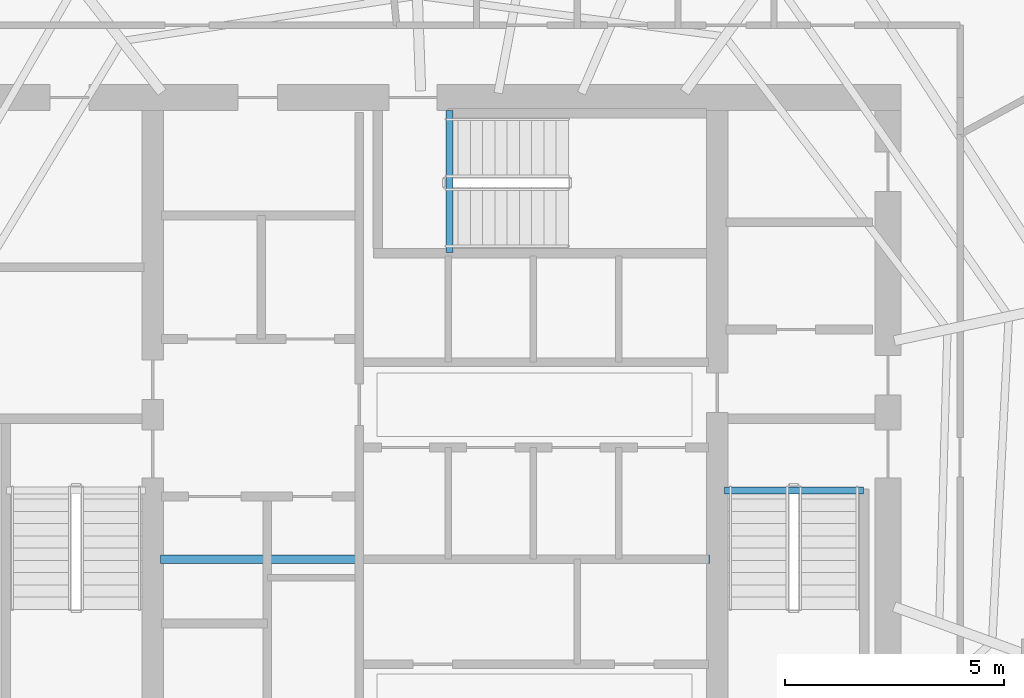
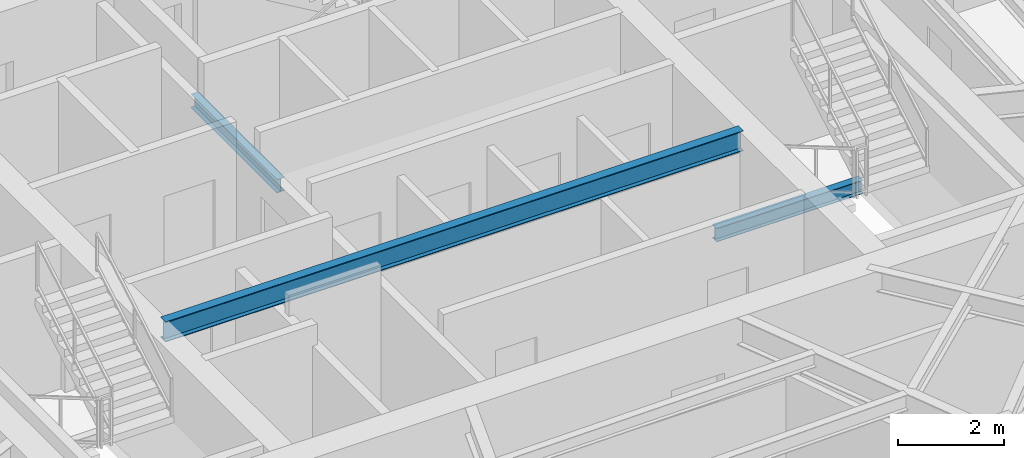
# One storey, part 8 of 21: 3 beams.
"""IFC4 building model written with IfcOpenShell, lengths in metres."""

from ifc_helpers import new_model, si_unit, direction, frame, origin, origin_2d, place, context, subcontext, project, spatial, i_section, extrude, material, material_profile, profile_set, type_object, element, save


model = new_model("IFC4")

# Units and contexts
model_context = context("Model", 3, precision=1e-05, world=origin(), true_north=direction((0.0, 1.0)))
body_context = subcontext(model_context, "Body", "Model", "MODEL_VIEW")
ifc_project = project(units=[si_unit("LENGTHUNIT", "METRE"), si_unit("AREAUNIT", "SQUARE_METRE"), si_unit("VOLUMEUNIT", "CUBIC_METRE"), si_unit("PLANEANGLEUNIT", "RADIAN"), si_unit("MASSUNIT", "GRAM", prefix="KILO")], contexts=[model_context])

# Site, building, storey
site_placement = place(None, origin())
site = spatial("IfcSite", under=ifc_project, at=site_placement, CompositionType="ELEMENT")
building_placement = place(site_placement, origin())
building = spatial("IfcBuilding", under=site, at=building_placement, Name="Qarnah Convention Tower", CompositionType="ELEMENT")
storey_placement = place(building_placement, frame((0.0, 0.0, 161.699951171875)))
storey = spatial("IfcBuildingStorey", under=building, at=storey_placement, Name="L43", CompositionType="ELEMENT", Elevation=161.699951171875)

# Beams
ifc_material = material(Name="Structural steel S355JR", Category="steel")
ifc_material_profile_1 = material_profile(ifc_material, i_section(OverallWidth=0.19189453125, OverallDepth=0.464111328125, WebThickness=0.010986328125, FlangeThickness=0.01806640625, at=origin_2d()), Name="W460X89")
ifc_profile_set_1 = profile_set([ifc_material_profile_1], Name="Structural steel S355JR")
beam_type_1 = type_object("IfcBeamType", Name="BM-CANT-W460A", PredefinedType="BEAM", material=ifc_profile_set_1)
beam_1_placement = place(storey_placement, frame((30.97998046875, 23.64990234375, 3.088134765625), z_axis=(1.0, 0.0, 0.0), x_axis=(0.0, 1.0, 0.0)))
element("IfcBeam", 1, at=beam_1_placement, inside=storey, type_object=beam_type_1, Name="L43 beam BM-L43-KC1", PredefinedType="BEAM", context=body_context, shape_type="SweptSolid", body=[
    extrude(i_section(OverallWidth=0.19189453125, OverallDepth=0.464111328125, WebThickness=0.010986328125, FlangeThickness=0.01806640625, at=origin_2d()), origin(), (0.0, 0.0, 1.0), 12.5400390625),
])
ifc_material_profile_2 = material_profile(ifc_material, i_section(OverallWidth=0.166015625, OverallDepth=0.31201171875, WebThickness=0.007080078125, FlangeThickness=0.010986328125, at=origin_2d()), Name="W310X45")
ifc_profile_set_2 = profile_set([ifc_material_profile_2], Name="Structural steel S355JR")
beam_type_2 = type_object("IfcBeamType", Name="BM-JST-W310", PredefinedType="JOIST", material=ifc_profile_set_2)
beam_2_placement = place(storey_placement, frame((43.860107421875, 25.217041015625, -0.156005859375), z_axis=(1.0, 0.0, 0.0), x_axis=(0.0, 1.0, 0.0)))
element("IfcBeam", 2, at=beam_2_placement, inside=storey, type_object=beam_type_2, Name="L43 stair landing trimmer beam BM-L43-ST2-TRM", PredefinedType="BEAM", context=body_context, shape_type="SweptSolid", body=[
    extrude(i_section(OverallWidth=0.166015625, OverallDepth=0.31201171875, WebThickness=0.007080078125, FlangeThickness=0.010986328125, at=origin_2d()), origin(), (0.0, 0.0, 1.0), 3.179931640625),
])
beam_3_placement = place(storey_placement, frame((37.5830078125, 30.659912109375, -0.156005859375), z_axis=(0.0, 1.0, 0.0), x_axis=(-1.0, 0.0, 0.0)))
element("IfcBeam", 3, at=beam_3_placement, inside=storey, type_object=beam_type_2, Name="L43 stair landing trimmer beam BM-L43-ST3-TRM", PredefinedType="BEAM", context=body_context, shape_type="SweptSolid", body=[
    extrude(i_section(OverallWidth=0.166015625, OverallDepth=0.31201171875, WebThickness=0.007080078125, FlangeThickness=0.010986328125, at=origin_2d()), origin(), (0.0, 0.0, 1.0), 3.239990234375),
])

save(model, "model.ifc")
